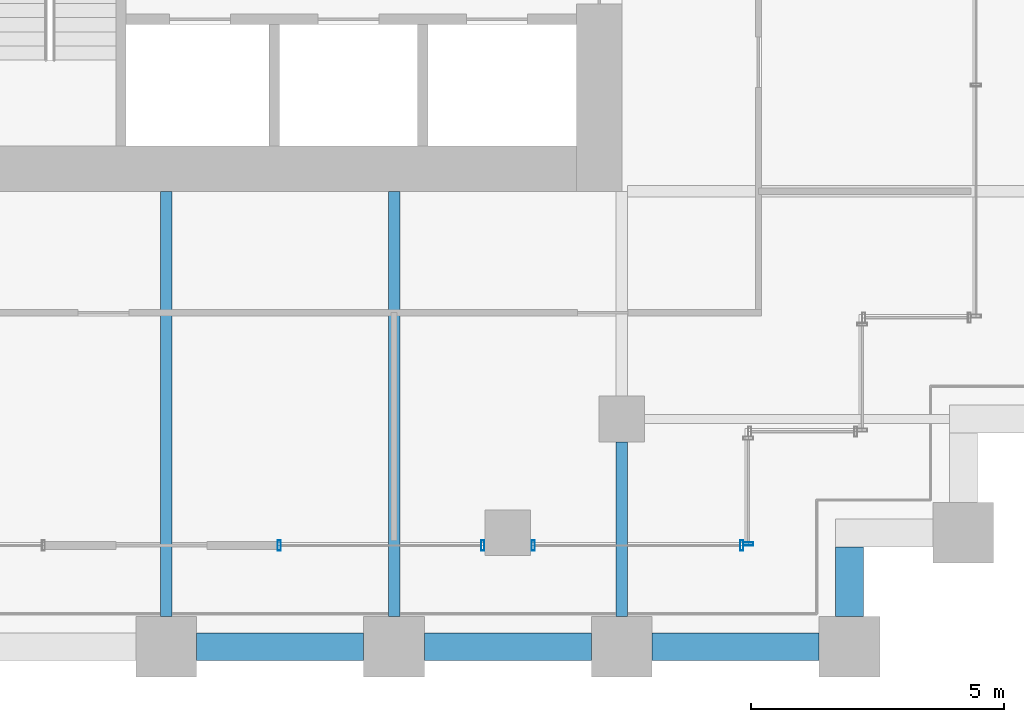
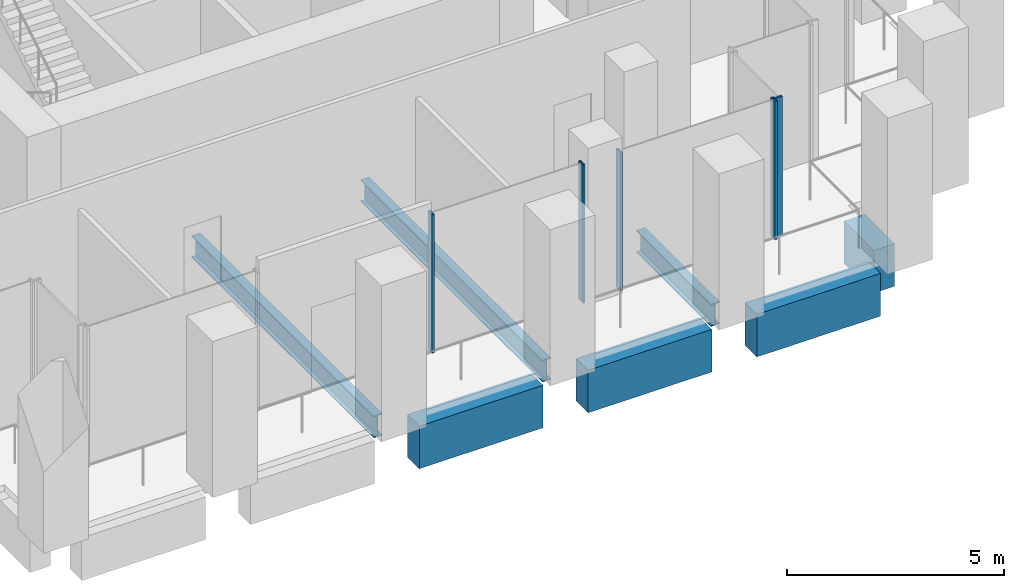
# One storey, part 21 of 36: 7 beams, 5 members, 3 elements without a shape of their own.
"""IFC4 building model written with IfcOpenShell, lengths in metres."""

from ifc_helpers import new_model, si_unit, direction, frame, origin, origin_2d, place, context, subcontext, project, spatial, rectangle, hollow_rectangle, i_section, extrude, material, material_profile, profile_set, type_object, element, aggregate, save


model = new_model("IFC4")

# Units and contexts
model_context = context("Model", 3, precision=1e-05, world=origin(), true_north=direction((0.0, 1.0)))
body_context = subcontext(model_context, "Body", "Model", "MODEL_VIEW")
ifc_project = project(units=[si_unit("LENGTHUNIT", "METRE"), si_unit("AREAUNIT", "SQUARE_METRE"), si_unit("VOLUMEUNIT", "CUBIC_METRE"), si_unit("PLANEANGLEUNIT", "RADIAN"), si_unit("MASSUNIT", "GRAM", prefix="KILO")], contexts=[model_context])

# Site, building, storey
site_placement = place(None, origin())
site = spatial("IfcSite", under=ifc_project, at=site_placement, CompositionType="ELEMENT")
building_placement = place(site_placement, origin())
building = spatial("IfcBuilding", under=site, at=building_placement, Name="Altepetl Exchange Towers", CompositionType="ELEMENT")
storey_placement = place(building_placement, frame((0.0, 0.0, 34.199951171875)))
storey = spatial("IfcBuildingStorey", under=building, at=storey_placement, Name="L07", CompositionType="ELEMENT", Elevation=34.199951171875)

# Beams
ifc_material_1 = material(Name="Steel S355", Category="steel")
ifc_material_profile_1 = material_profile(ifc_material_1, i_section(OverallWidth=0.22900390625, OverallDepth=0.612060546875, WebThickness=0.011962890625, FlangeThickness=0.01953125, at=origin_2d()), Name="W24X84")
ifc_profile_set_1 = profile_set([ifc_material_profile_1], Name="Steel S355")
beam_type_1 = type_object("IfcBeamType", Name="Floor beam W24X84", PredefinedType="BEAM", material=ifc_profile_set_1)
for number, where, z_axis, x_axis, name in (
    (1, (108.0, 27.60009765625, -0.48095703125), (0.0, 1.0, 0.0), (-1.0, 0.0, 0.0), "bm:B:L07:010"),
    (2, (112.5, 27.60009765625, -0.48095703125), (0.0, 1.0, 0.0), (-1.0, 0.0, 0.0), "bm:B:L07:011"),
):
    element("IfcBeam", number, at=place(storey_placement, frame(where, z_axis=z_axis, x_axis=x_axis)), inside=storey, type_object=beam_type_1, Name=name, PredefinedType="BEAM", context=body_context, shape_type="SweptSolid", body=[
        extrude(i_section(OverallWidth=0.22900390625, OverallDepth=0.612060546875, WebThickness=0.011962890625, FlangeThickness=0.01953125, at=origin_2d()), origin(), (0.0, 0.0, 1.0), 8.39990234375),
    ])
ifc_material_profile_2 = material_profile(ifc_material_1, i_section(OverallWidth=0.22900390625, OverallDepth=0.623046875, WebThickness=0.013916015625, FlangeThickness=0.02490234375, at=origin_2d()), Name="W24X103")
ifc_profile_set_2 = profile_set([ifc_material_profile_2], Name="Steel S355")
beam_type_2 = type_object("IfcBeamType", Name="Girder W24X103", PredefinedType="BEAM", material=ifc_profile_set_2)
beam_1_placement = place(storey_placement, frame((117.0, 31.050048828125, -0.486572265625), z_axis=(0.0, -1.0, 0.0), x_axis=(1.0, 0.0, 0.0)))
element("IfcBeam", 3, at=beam_1_placement, inside=storey, type_object=beam_type_2, Name="gd:B:L07:005", PredefinedType="BEAM", context=body_context, shape_type="SweptSolid", body=[
    extrude(i_section(OverallWidth=0.22900390625, OverallDepth=0.623046875, WebThickness=0.013916015625, FlangeThickness=0.02490234375, at=origin_2d()), origin(), (0.0, 0.0, 1.0), 3.449951171875),
])

# Curtain wall, members
ifc_material_2 = material(Name="Aluminium 6063-T6 glazing", Category="aluminium")
curtain_wall_type = type_object("IfcCurtainWallType", Name="Trading floor glazing system", PredefinedType="NOTDEFINED", material=ifc_material_2)
curtain_wall_1_placement = place(storey_placement, origin())
curtain_wall_1 = element("IfcCurtainWall", 4, at=curtain_wall_1_placement, inside=storey, type_object=curtain_wall_type, Name="CW2 run", PredefinedType="NOTDEFINED")
ifc_material_3 = material(Name="Aluminium 6063-T6", Category="aluminium")
ifc_material_profile_3 = material_profile(ifc_material_3, hollow_rectangle(XDim=0.06005859375, YDim=0.199951171875, WallThickness=0.0029296875, at=origin_2d()), Name="Mullion 60x200 aluminium")
ifc_profile_set_3 = profile_set([ifc_material_profile_3], Name="Aluminium 6063-T6")
member_type = type_object("IfcMemberType", Name="Mullion 60x200 aluminium", PredefinedType="MULLION", material=ifc_profile_set_3)
member_1_placement = place(storey_placement, frame((110.22998046875, 29.0, 0.0)))
member_1 = element("IfcMember", 5, at=member_1_placement, type_object=member_type, Name="MU2 mullion", PredefinedType="MULLION", context=body_context, shape_type="SweptSolid", body=[
    extrude(hollow_rectangle(XDim=0.06005859375, YDim=0.199951171875, WallThickness=0.0029296875, at=origin_2d()), origin(), (0.0, 0.0, 1.0), 3.900146484375),
])
member_2_placement = place(storey_placement, frame((114.25, 29.0, 0.0)))
member_2 = element("IfcMember", 6, at=member_2_placement, type_object=member_type, Name="MU2 mullion", PredefinedType="MULLION", context=body_context, shape_type="SweptSolid", body=[
    extrude(hollow_rectangle(XDim=0.06005859375, YDim=0.199951171875, WallThickness=0.0029296875, at=origin_2d()), origin(), (0.0, 0.0, 1.0), 3.900146484375),
])
aggregate(curtain_wall_1, [member_1, member_2])

curtain_wall_2_placement = place(storey_placement, origin())
curtain_wall_2 = element("IfcCurtainWall", 7, at=curtain_wall_2_placement, inside=storey, type_object=curtain_wall_type, Name="CW2 run", PredefinedType="NOTDEFINED")
member_3_placement = place(storey_placement, frame((115.25, 29.0, 0.0)))
member_3 = element("IfcMember", 8, at=member_3_placement, type_object=member_type, Name="MU2 mullion", PredefinedType="MULLION", context=body_context, shape_type="SweptSolid", body=[
    extrude(hollow_rectangle(XDim=0.06005859375, YDim=0.199951171875, WallThickness=0.0029296875, at=origin_2d()), origin(), (0.0, 0.0, 1.0), 3.900146484375),
])
member_4_placement = place(storey_placement, frame((119.3701171875, 29.0, 0.0)))
member_4 = element("IfcMember", 9, at=member_4_placement, type_object=member_type, Name="MU2 mullion", PredefinedType="MULLION", context=body_context, shape_type="SweptSolid", body=[
    extrude(hollow_rectangle(XDim=0.06005859375, YDim=0.199951171875, WallThickness=0.0029296875, at=origin_2d()), origin(), (0.0, 0.0, 1.0), 3.900146484375),
])
aggregate(curtain_wall_2, [member_3, member_4])

# Curtain wall, member
curtain_wall_3_placement = place(storey_placement, origin())
curtain_wall_3 = element("IfcCurtainWall", 10, at=curtain_wall_3_placement, inside=storey, type_object=curtain_wall_type, Name="CW2 run", PredefinedType="NOTDEFINED")
member_5_placement = place(storey_placement, frame((119.5, 29.030029296875, 0.0), z_axis=(0.0, 0.0, 1.0), x_axis=(0.0, 1.0, 0.0)))
member_5 = element("IfcMember", 11, at=member_5_placement, type_object=member_type, Name="MU2 mullion", PredefinedType="MULLION", context=body_context, shape_type="SweptSolid", body=[
    extrude(hollow_rectangle(XDim=0.06005859375, YDim=0.199951171875, WallThickness=0.0029296875, at=origin_2d()), origin(), (0.0, 0.0, 1.0), 3.900146484375),
])
aggregate(curtain_wall_3, [member_5])

# Beams
ifc_material_4 = material(Name="Concrete C50/60 precast with cantera blanca facing", Category="concrete")
ifc_material_profile_4 = material_profile(ifc_material_4, rectangle(XDim=0.550048828125, YDim=1.199951171875, at=origin_2d()), Name="550 x 1200")
ifc_profile_set_4 = profile_set([ifc_material_profile_4], Name="Concrete C50/60 precast with cantera blanca facing")
beam_type_3 = type_object("IfcBeamType", Name="Spandrel beam 550x1200 cantera blanca", PredefinedType="SPANDREL", material=ifc_profile_set_4)
beam_2_placement = place(storey_placement, frame((117.60009765625, 27.0, -0.77490234375), z_axis=(1.0, 0.0, 0.0), x_axis=(0.0, 1.0, 0.0)))
element("IfcBeam", 12, at=beam_2_placement, inside=storey, type_object=beam_type_3, Name="sp:B:L07:004", PredefinedType="SPANDREL", context=body_context, shape_type="SweptSolid", body=[
    extrude(rectangle(XDim=0.550048828125, YDim=1.199951171875, at=origin_2d()), origin(), (0.0, 0.0, 1.0), 3.2998046875),
])
beam_3_placement = place(storey_placement, frame((121.5, 27.60009765625, -0.77490234375), z_axis=(0.0, 1.0, 0.0), x_axis=(-1.0, 0.0, 0.0)))
element("IfcBeam", 13, at=beam_3_placement, inside=storey, type_object=beam_type_3, Name="sp:B:L07:005", PredefinedType="SPANDREL", context=body_context, shape_type="SweptSolid", body=[
    extrude(rectangle(XDim=0.550048828125, YDim=1.199951171875, at=origin_2d()), origin(), (0.0, 0.0, 1.0), 1.375),
])
ifc_material_5 = material(Name="Concrete C50/60 precast with tezontle facing", Category="concrete")
ifc_material_profile_5 = material_profile(ifc_material_5, rectangle(XDim=0.550048828125, YDim=1.199951171875, at=origin_2d()), Name="550 x 1200")
ifc_profile_set_5 = profile_set([ifc_material_profile_5], Name="Concrete C50/60 precast with tezontle facing")
beam_type_4 = type_object("IfcBeamType", Name="Spandrel beam 550x1200 tezontle", PredefinedType="SPANDREL", material=ifc_profile_set_5)
for number, where, z_axis, x_axis, name in (
    (14, (108.60009765625, 27.0, -0.77490234375), (1.0, 0.0, 0.0), (0.0, 1.0, 0.0), "sp:B:L07:002"),
    (15, (113.10009765625, 27.0, -0.77490234375), (1.0, 0.0, 0.0), (0.0, 1.0, 0.0), "sp:B:L07:003"),
):
    element("IfcBeam", number, at=place(storey_placement, frame(where, z_axis=z_axis, x_axis=x_axis)), inside=storey, type_object=beam_type_4, Name=name, PredefinedType="SPANDREL", context=body_context, shape_type="SweptSolid", body=[
        extrude(rectangle(XDim=0.550048828125, YDim=1.199951171875, at=origin_2d()), origin(), (0.0, 0.0, 1.0), 3.2998046875),
    ])

save(model, "model.ifc")
